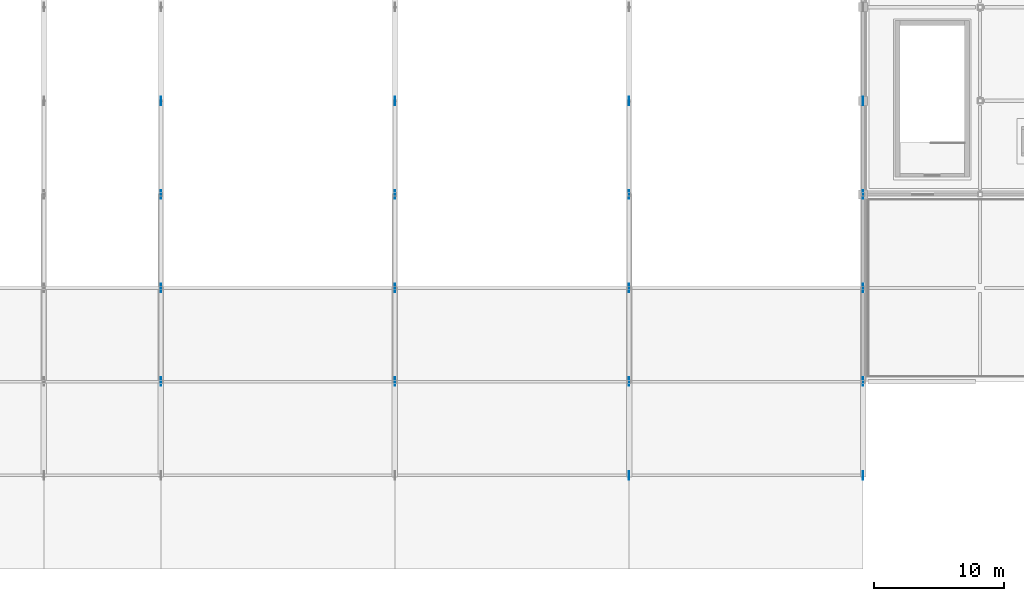
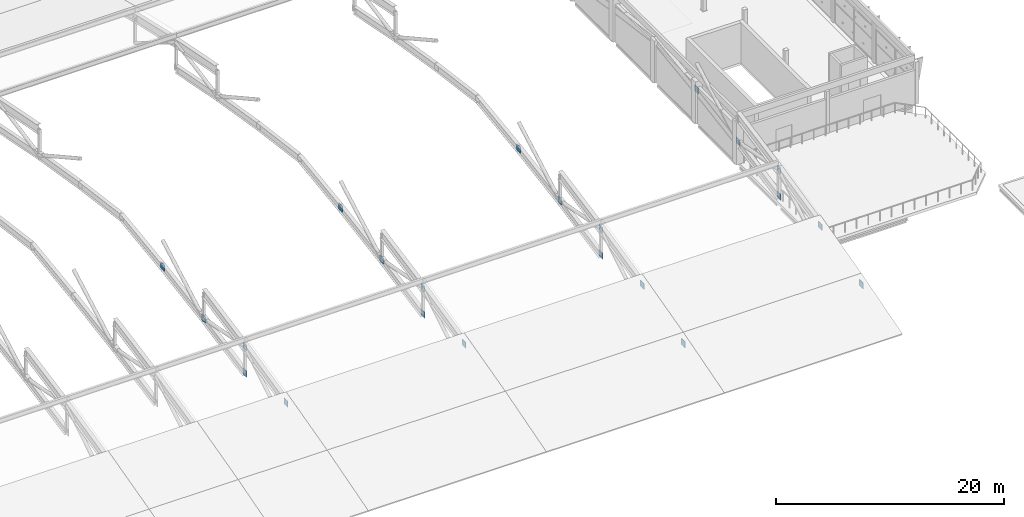
# One storey, part 83 of 124: 22 plates.
"""IFC4 building model written with IfcOpenShell, lengths in metres."""

from ifc_helpers import new_model, si_unit, direction, frame, origin, origin_2d, place, context, subcontext, project, spatial, rectangle, extrude, material, layer, layer_set, type_object, element, save


model = new_model("IFC4")

# Units and contexts
model_context = context("Model", 3, precision=1e-05, world=origin(), true_north=direction((0.0, 1.0)))
body_context = subcontext(model_context, "Body", "Model", "MODEL_VIEW")
ifc_project = project(units=[si_unit("LENGTHUNIT", "METRE"), si_unit("AREAUNIT", "SQUARE_METRE"), si_unit("VOLUMEUNIT", "CUBIC_METRE"), si_unit("PLANEANGLEUNIT", "RADIAN"), si_unit("MASSUNIT", "GRAM", prefix="KILO")], contexts=[model_context])

# Site, building, storey
site_placement = place(None, origin())
site = spatial("IfcSite", under=ifc_project, at=site_placement, CompositionType="ELEMENT")
building_placement = place(site_placement, origin())
building = spatial("IfcBuilding", under=site, at=building_placement, Name="Celestram Park Convention Centre", CompositionType="ELEMENT")
storey_placement = place(building_placement, frame((0.0, 0.0, 15.300048828125)))
storey = spatial("IfcBuildingStorey", under=building, at=storey_placement, Name="L03", CompositionType="ELEMENT", Elevation=15.300048828125)

# Plates
ifc_material = material(Name="Steel ASTM A572 Grade 50", Category="steel")
ifc_layer = layer(ifc_material, 0.050048828125)
ifc_layer_set = layer_set([ifc_layer], Name="Steel ASTM A572 Grade 50")
plate_type = type_object("IfcPlateType", Name="STR-PLT-GP50", PredefinedType="USERDEFINED", material=ifc_layer_set)
for number, where, z_axis, x_axis, name in (
    (1, (72.0, 36.0, 1.590087890625), (0.0, 0.0, 1.0), (0.0, 1.0, 0.0), "V1 truss node gusset plate"),
    (2, (72.0, 43.199951171875, 3.238525390625), (0.0, 0.0, 1.0), (0.0, 1.0, 0.0), "V1 truss node gusset plate"),
    (3, (72.0, 43.199951171875, 0.4384765625), (0.0, 0.0, 1.0), (0.0, 1.0, 0.0), "V1 truss node gusset plate"),
    (4, (72.0, 50.39990234375, 1.856689453125), (0.0, 0.0, 1.0), (0.0, 1.0, 0.0), "V1 truss node gusset plate"),
    (5, (72.0, 57.60009765625, 3.045166015625), (0.0, 0.0, 1.0), (0.0, 1.0, 0.0), "V1 truss node gusset plate"),
    (6, (90.0, 36.0, 1.590087890625), (0.0, 0.0, 1.0), (0.0, 1.0, 0.0), "V1 truss node gusset plate"),
    (7, (90.0, 43.199951171875, 3.238525390625), (0.0, 0.0, 1.0), (0.0, 1.0, 0.0), "V1 truss node gusset plate"),
    (8, (90.0, 43.199951171875, 0.4384765625), (0.0, 0.0, 1.0), (0.0, 1.0, 0.0), "V1 truss node gusset plate"),
    (9, (90.0, 50.39990234375, 1.856689453125), (0.0, 0.0, 1.0), (0.0, 1.0, 0.0), "V1 truss node gusset plate"),
    (10, (90.0, 57.60009765625, 3.045166015625), (0.0, 0.0, 1.0), (0.0, 1.0, 0.0), "V1 truss node gusset plate"),
    (11, (108.0, 28.800048828125, -0.2880859375), (0.0, 0.0, 1.0), (0.0, 1.0, 0.0), "V1 truss node gusset plate"),
    (12, (108.0, 36.0, 1.590087890625), (0.0, 0.0, 1.0), (0.0, 1.0, 0.0), "V1 truss node gusset plate"),
    (13, (108.0, 43.199951171875, 3.238525390625), (0.0, 0.0, 1.0), (0.0, 1.0, 0.0), "V1 truss node gusset plate"),
    (14, (108.0, 43.199951171875, 0.4384765625), (0.0, 0.0, 1.0), (0.0, 1.0, 0.0), "V1 truss node gusset plate"),
    (15, (108.0, 50.39990234375, 1.856689453125), (0.0, 0.0, 1.0), (0.0, 1.0, 0.0), "V1 truss node gusset plate"),
    (16, (108.0, 57.60009765625, 3.045166015625), (0.0, 0.0, 1.0), (0.0, 1.0, 0.0), "V1 truss node gusset plate"),
    (17, (126.0, 28.800048828125, -0.2880859375), (0.0, 0.0, 1.0), (0.0, 1.0, 0.0), "V1 truss node gusset plate"),
    (18, (126.0, 36.0, 1.590087890625), (0.0, 0.0, 1.0), (0.0, 1.0, 0.0), "V1 truss node gusset plate"),
    (19, (126.0, 43.199951171875, 3.238525390625), (0.0, 0.0, 1.0), (0.0, 1.0, 0.0), "V1 truss node gusset plate"),
    (20, (126.0, 43.199951171875, 0.4384765625), (0.0, 0.0, 1.0), (0.0, 1.0, 0.0), "V1 truss node gusset plate"),
    (21, (126.0, 50.39990234375, 1.856689453125), (0.0, 0.0, 1.0), (0.0, 1.0, 0.0), "V1 truss node gusset plate"),
    (22, (126.0, 57.60009765625, 3.045166015625), (0.0, 0.0, 1.0), (0.0, 1.0, 0.0), "V1 truss node gusset plate"),
):
    element("IfcPlate", number, at=place(storey_placement, frame(where, z_axis=z_axis, x_axis=x_axis)), inside=storey, type_object=plate_type, Name=name, ObjectType="GUSSET_PLATE", PredefinedType="USERDEFINED", context=body_context, shape_type="SweptSolid", body=[
        extrude(rectangle(XDim=0.64990234375, YDim=0.050048828125, at=origin_2d()), origin(), (0.0, 0.0, 1.0), 0.64990234375),
    ])

save(model, "model.ifc")
